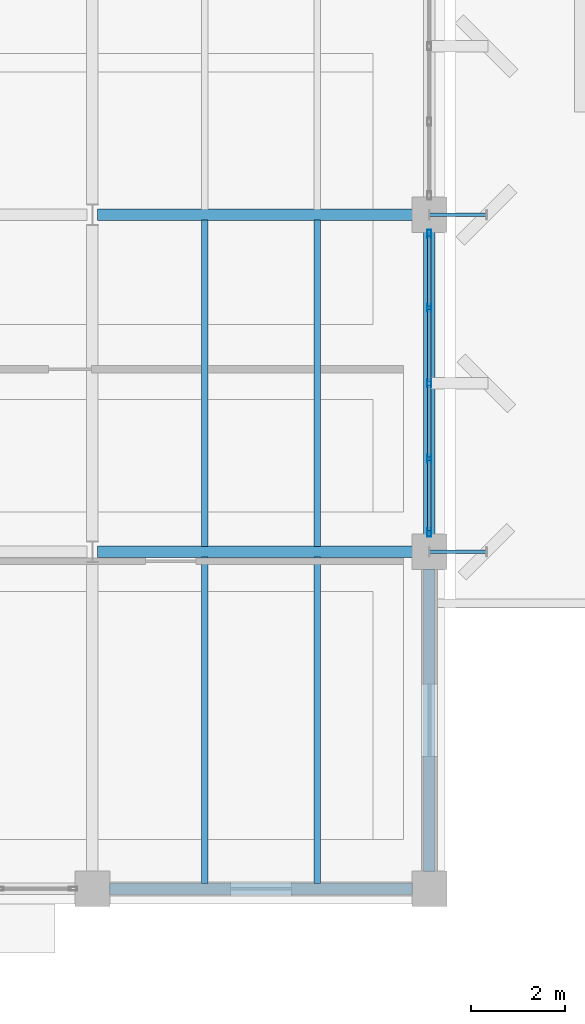
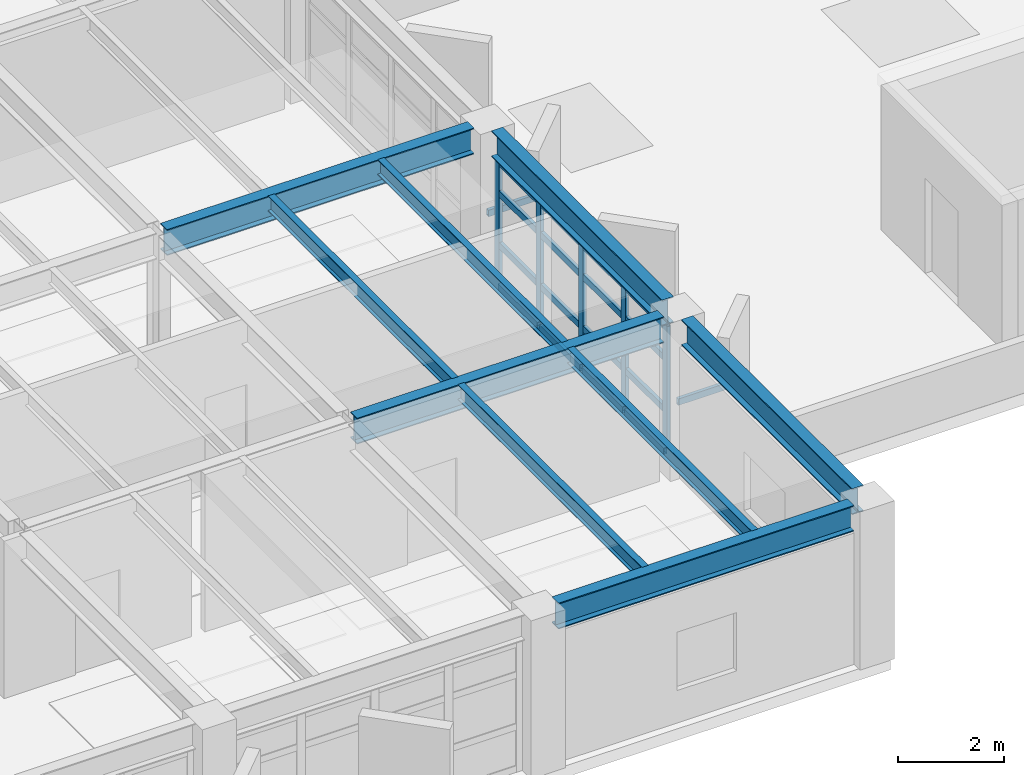
# One storey, part 12 of 32: 23 members, 9 beams, 1 element without a shape of its own.
"""IFC4 building model written with IfcOpenShell, lengths in metres."""

from ifc_helpers import new_model, si_unit, direction, frame, origin, origin_2d, place, context, subcontext, project, spatial, hollow_rectangle, i_section, extrude, material, layer, layer_set, material_profile, profile_set, type_object, element, aggregate, save


model = new_model("IFC4")

# Units and contexts
model_context = context("Model", 3, precision=1e-05, world=origin(), true_north=direction((0.0, 1.0)))
body_context = subcontext(model_context, "Body", "Model", "MODEL_VIEW")
ifc_project = project(units=[si_unit("LENGTHUNIT", "METRE"), si_unit("AREAUNIT", "SQUARE_METRE"), si_unit("VOLUMEUNIT", "CUBIC_METRE"), si_unit("PLANEANGLEUNIT", "RADIAN"), si_unit("MASSUNIT", "GRAM", prefix="KILO")], contexts=[model_context])

# Site, building, storey
site_placement = place(None, origin())
site = spatial("IfcSite", under=ifc_project, at=site_placement, CompositionType="ELEMENT")
building_placement = place(site_placement, origin())
building = spatial("IfcBuilding", under=site, at=building_placement, Name="Kandorven Conservatory and Botanical Research Centre", CompositionType="ELEMENT")
storey_placement = place(building_placement, frame((0.0, 0.0, 17.10009765625)))
storey = spatial("IfcBuildingStorey", under=building, at=storey_placement, Name="L04", CompositionType="ELEMENT", Elevation=17.10009765625)

# Beams
ifc_material_1 = material(Name="Steel S355 (IS 2062 E350)", Category="steel")
ifc_material_profile_1 = material_profile(ifc_material_1, i_section(OverallWidth=0.25, OverallDepth=0.60009765625, WebThickness=0.01171875, FlangeThickness=0.023681640625, at=origin_2d()))
ifc_profile_set_1 = profile_set([ifc_material_profile_1], Name="Steel S355 (IS 2062 E350)")
beam_type_1 = type_object("IfcBeamType", Name="Beam_FG-01", PredefinedType="USERDEFINED", material=ifc_profile_set_1)
beam_placement = place(storey_placement, frame((35.1650390625, 6.0, 3.35986328125), z_axis=(1.0, 0.0, 0.0), x_axis=(0.0, 1.0, 0.0)))
element("IfcBeam", 1, at=beam_placement, inside=storey, type_object=beam_type_1, Name="Primary girder FG-01 TWR L04", ObjectType="GIRDER", PredefinedType="USERDEFINED", context=body_context, shape_type="SweptSolid", body=[
    extrude(i_section(OverallWidth=0.25, OverallDepth=0.60009765625, WebThickness=0.01171875, FlangeThickness=0.023681640625, at=origin_2d()), origin(), (0.0, 0.0, 1.0), 6.469970703125),
])
for number, where, z_axis, x_axis, name in (
    (2, (34.9150390625, 13.199951171875, 3.35986328125), (1.0, 0.0, 0.0), (0.0, 1.0, 0.0), "Primary girder FG-01 TWR L04"),
    (3, (34.9150390625, 20.39990234375, 3.35986328125), (1.0, 0.0, 0.0), (0.0, 1.0, 0.0), "Primary girder FG-01 TWR L04"),
):
    element("IfcBeam", number, at=place(storey_placement, frame(where, z_axis=z_axis, x_axis=x_axis)), inside=storey, type_object=beam_type_1, Name=name, ObjectType="GIRDER", PredefinedType="USERDEFINED", context=body_context, shape_type="SweptSolid", body=[
        extrude(i_section(OverallWidth=0.25, OverallDepth=0.60009765625, WebThickness=0.01171875, FlangeThickness=0.023681640625, at=origin_2d()), origin(), (0.0, 0.0, 1.0), 6.719970703125),
    ])
for number, where, z_axis, x_axis, name in (
    (4, (42.0, 6.364990234375, 3.35986328125), (0.0, 1.0, 0.0), (-1.0, 0.0, 0.0), "Primary girder FG-01 TWR L04"),
    (5, (42.0, 13.56494140625, 3.35986328125), (0.0, 1.0, 0.0), (-1.0, 0.0, 0.0), "Primary girder FG-01 TWR L04"),
):
    element("IfcBeam", number, at=place(storey_placement, frame(where, z_axis=z_axis, x_axis=x_axis)), inside=storey, type_object=beam_type_1, Name=name, ObjectType="GIRDER", PredefinedType="USERDEFINED", context=body_context, shape_type="SweptSolid", body=[
        extrude(i_section(OverallWidth=0.25, OverallDepth=0.60009765625, WebThickness=0.01171875, FlangeThickness=0.023681640625, at=origin_2d()), origin(), (0.0, 0.0, 1.0), 6.469970703125),
    ])
ifc_material_2 = material(Name="Steel S355 (IS 2062 E350)", Category="steel")
ifc_material_profile_2 = material_profile(ifc_material_2, i_section(OverallWidth=0.139892578125, OverallDepth=0.35009765625, WebThickness=0.008056640625, FlangeThickness=0.01416015625, at=origin_2d()))
ifc_profile_set_2 = profile_set([ifc_material_profile_2], Name="Steel S355 (IS 2062 E350)")
beam_type_2 = type_object("IfcBeamType", Name="Beam_SB-06", PredefinedType="BEAM", material=ifc_profile_set_2)
for number, where, z_axis, x_axis, name in (
    (6, (37.199951171875, 6.110107421875, 3.48486328125), (0.0, 1.0, 0.0), (-1.0, 0.0, 0.0), "Composite secondary beam SB-06 TWR L04"),
    (7, (39.60009765625, 6.110107421875, 3.48486328125), (0.0, 1.0, 0.0), (-1.0, 0.0, 0.0), "Composite secondary beam SB-06 TWR L04"),
    (8, (37.199951171875, 13.31005859375, 3.48486328125), (0.0, 1.0, 0.0), (-1.0, 0.0, 0.0), "Composite secondary beam SB-06 TWR L04"),
    (9, (39.60009765625, 13.31005859375, 3.48486328125), (0.0, 1.0, 0.0), (-1.0, 0.0, 0.0), "Composite secondary beam SB-06 TWR L04"),
):
    element("IfcBeam", number, at=place(storey_placement, frame(where, z_axis=z_axis, x_axis=x_axis)), inside=storey, type_object=beam_type_2, Name=name, PredefinedType="BEAM", context=body_context, shape_type="SweptSolid", body=[
        extrude(i_section(OverallWidth=0.139892578125, OverallDepth=0.35009765625, WebThickness=0.008056640625, FlangeThickness=0.01416015625, at=origin_2d()), origin(), (0.0, 0.0, 1.0), 6.97998046875),
    ])

# Curtain wall, members
ifc_material_3 = material(Name="Bronze anodised thermally broken aluminium", Category="aluminium")
ifc_layer = layer(ifc_material_3, 0.179931640625)
ifc_layer_set = layer_set([ifc_layer], Name="Bronze anodised thermally broken aluminium")
curtain_wall_type = type_object("IfcCurtainWallType", Name="CW_Unitised", PredefinedType="USERDEFINED", material=ifc_layer_set)
curtain_wall_placement = place(storey_placement, origin())
curtain_wall = element("IfcCurtainWall", 10, at=curtain_wall_placement, inside=storey, type_object=curtain_wall_type, Name="Tower laboratory curtain wall CW-TWR-E-L04-2", ObjectType="UNITISED GLAZING", PredefinedType="USERDEFINED")
ifc_material_4 = material(Name="Bronze anodised thermally broken aluminium", Category="aluminium")
ifc_material_profile_3 = material_profile(ifc_material_4, hollow_rectangle(XDim=0.080078125, YDim=0.179931640625, WallThickness=0.006103515625, at=origin_2d()))
ifc_profile_set_3 = profile_set([ifc_material_profile_3], Name="Bronze anodised thermally broken aluminium")
member_type_1 = type_object("IfcMemberType", Name="CW_Mullion", PredefinedType="MULLION", material=ifc_profile_set_3)
member_1_placement = place(storey_placement, frame((42.0, 13.614990234375, 0.0), z_axis=(0.0, 0.0, 1.0), x_axis=(-1.0, 0.0, 0.0)))
member_1 = element("IfcMember", 11, at=member_1_placement, type_object=member_type_1, Name="CW-01 mullion 1", PredefinedType="MULLION", context=body_context, shape_type="SweptSolid", body=[
    extrude(hollow_rectangle(XDim=0.080078125, YDim=0.179931640625, WallThickness=0.006103515625, at=origin_2d()), origin(), (0.0, 0.0, 1.0), 3.039794921875),
])
member_2_placement = place(storey_placement, frame((42.0, 15.1875, 0.0), z_axis=(0.0, 0.0, 1.0), x_axis=(-1.0, 0.0, 0.0)))
member_2 = element("IfcMember", 12, at=member_2_placement, type_object=member_type_1, Name="CW-01 mullion 2", PredefinedType="MULLION", context=body_context, shape_type="SweptSolid", body=[
    extrude(hollow_rectangle(XDim=0.080078125, YDim=0.179931640625, WallThickness=0.006103515625, at=origin_2d()), origin(), (0.0, 0.0, 1.0), 3.039794921875),
])
member_3_placement = place(storey_placement, frame((42.0, 16.800048828125, 0.0), z_axis=(0.0, 0.0, 1.0), x_axis=(-1.0, 0.0, 0.0)))
member_3 = element("IfcMember", 13, at=member_3_placement, type_object=member_type_1, Name="CW-01 mullion 3", PredefinedType="MULLION", context=body_context, shape_type="SweptSolid", body=[
    extrude(hollow_rectangle(XDim=0.080078125, YDim=0.179931640625, WallThickness=0.006103515625, at=origin_2d()), origin(), (0.0, 0.0, 1.0), 3.039794921875),
])
member_4_placement = place(storey_placement, frame((42.0, 18.41259765625, 0.0), z_axis=(0.0, 0.0, 1.0), x_axis=(-1.0, 0.0, 0.0)))
member_4 = element("IfcMember", 14, at=member_4_placement, type_object=member_type_1, Name="CW-01 mullion 4", PredefinedType="MULLION", context=body_context, shape_type="SweptSolid", body=[
    extrude(hollow_rectangle(XDim=0.080078125, YDim=0.179931640625, WallThickness=0.006103515625, at=origin_2d()), origin(), (0.0, 0.0, 1.0), 3.039794921875),
])
member_5_placement = place(storey_placement, frame((42.0, 19.985107421875, 0.0), z_axis=(0.0, 0.0, 1.0), x_axis=(-1.0, 0.0, 0.0)))
member_5 = element("IfcMember", 15, at=member_5_placement, type_object=member_type_1, Name="CW-01 mullion 5", PredefinedType="MULLION", context=body_context, shape_type="SweptSolid", body=[
    extrude(hollow_rectangle(XDim=0.080078125, YDim=0.179931640625, WallThickness=0.006103515625, at=origin_2d()), origin(), (0.0, 0.0, 1.0), 3.039794921875),
])
ifc_material_5 = material(Name="Bronze anodised thermally broken aluminium", Category="aluminium")
ifc_material_profile_4 = material_profile(ifc_material_5, hollow_rectangle(XDim=0.074951171875, YDim=0.14990234375, WallThickness=0.006103515625, at=origin_2d()))
ifc_profile_set_4 = profile_set([ifc_material_profile_4], Name="Bronze anodised thermally broken aluminium")
member_type_2 = type_object("IfcMemberType", Name="CW_Transom", PredefinedType="USERDEFINED", material=ifc_profile_set_4)
member_6_placement = place(storey_placement, frame((42.0, 13.655029296875, 0.074951171875), z_axis=(0.0, 1.0, 0.0), x_axis=(-1.0, 0.0, 0.0)))
member_6 = element("IfcMember", 16, at=member_6_placement, type_object=member_type_2, Name="CW-01 transom 1.1", ObjectType="TRANSOM", PredefinedType="USERDEFINED", context=body_context, shape_type="SweptSolid", body=[
    extrude(hollow_rectangle(XDim=0.074951171875, YDim=0.14990234375, WallThickness=0.006103515625, at=origin_2d()), origin(), (0.0, 0.0, 1.0), 1.492431640625),
])
member_7_placement = place(storey_placement, frame((42.0, 13.655029296875, 1.0498046875), z_axis=(0.0, 1.0, 0.0), x_axis=(-1.0, 0.0, 0.0)))
member_7 = element("IfcMember", 17, at=member_7_placement, type_object=member_type_2, Name="CW-01 transom 1.2", ObjectType="TRANSOM", PredefinedType="USERDEFINED", context=body_context, shape_type="SweptSolid", body=[
    extrude(hollow_rectangle(XDim=0.074951171875, YDim=0.14990234375, WallThickness=0.006103515625, at=origin_2d()), origin(), (0.0, 0.0, 1.0), 1.492431640625),
])
member_8_placement = place(storey_placement, frame((42.0, 13.655029296875, 2.25), z_axis=(0.0, 1.0, 0.0), x_axis=(-1.0, 0.0, 0.0)))
member_8 = element("IfcMember", 18, at=member_8_placement, type_object=member_type_2, Name="CW-01 transom 1.3", ObjectType="TRANSOM", PredefinedType="USERDEFINED", context=body_context, shape_type="SweptSolid", body=[
    extrude(hollow_rectangle(XDim=0.074951171875, YDim=0.14990234375, WallThickness=0.006103515625, at=origin_2d()), origin(), (0.0, 0.0, 1.0), 1.492431640625),
])
member_9_placement = place(storey_placement, frame((42.0, 13.655029296875, 2.96484375), z_axis=(0.0, 1.0, 0.0), x_axis=(-1.0, 0.0, 0.0)))
member_9 = element("IfcMember", 19, at=member_9_placement, type_object=member_type_2, Name="CW-01 transom 1.4", ObjectType="TRANSOM", PredefinedType="USERDEFINED", context=body_context, shape_type="SweptSolid", body=[
    extrude(hollow_rectangle(XDim=0.074951171875, YDim=0.14990234375, WallThickness=0.006103515625, at=origin_2d()), origin(), (0.0, 0.0, 1.0), 1.492431640625),
])
member_10_placement = place(storey_placement, frame((42.0, 15.2275390625, 0.074951171875), z_axis=(0.0, 1.0, 0.0), x_axis=(-1.0, 0.0, 0.0)))
member_10 = element("IfcMember", 20, at=member_10_placement, type_object=member_type_2, Name="CW-01 transom 2.1", ObjectType="TRANSOM", PredefinedType="USERDEFINED", context=body_context, shape_type="SweptSolid", body=[
    extrude(hollow_rectangle(XDim=0.074951171875, YDim=0.14990234375, WallThickness=0.006103515625, at=origin_2d()), origin(), (0.0, 0.0, 1.0), 1.532470703125),
])
member_11_placement = place(storey_placement, frame((42.0, 15.2275390625, 1.0498046875), z_axis=(0.0, 1.0, 0.0), x_axis=(-1.0, 0.0, 0.0)))
member_11 = element("IfcMember", 21, at=member_11_placement, type_object=member_type_2, Name="CW-01 transom 2.2", ObjectType="TRANSOM", PredefinedType="USERDEFINED", context=body_context, shape_type="SweptSolid", body=[
    extrude(hollow_rectangle(XDim=0.074951171875, YDim=0.14990234375, WallThickness=0.006103515625, at=origin_2d()), origin(), (0.0, 0.0, 1.0), 1.532470703125),
])
member_12_placement = place(storey_placement, frame((42.0, 15.2275390625, 2.25), z_axis=(0.0, 1.0, 0.0), x_axis=(-1.0, 0.0, 0.0)))
member_12 = element("IfcMember", 22, at=member_12_placement, type_object=member_type_2, Name="CW-01 transom 2.3", ObjectType="TRANSOM", PredefinedType="USERDEFINED", context=body_context, shape_type="SweptSolid", body=[
    extrude(hollow_rectangle(XDim=0.074951171875, YDim=0.14990234375, WallThickness=0.006103515625, at=origin_2d()), origin(), (0.0, 0.0, 1.0), 1.532470703125),
])
member_13_placement = place(storey_placement, frame((42.0, 15.2275390625, 2.96484375), z_axis=(0.0, 1.0, 0.0), x_axis=(-1.0, 0.0, 0.0)))
member_13 = element("IfcMember", 23, at=member_13_placement, type_object=member_type_2, Name="CW-01 transom 2.4", ObjectType="TRANSOM", PredefinedType="USERDEFINED", context=body_context, shape_type="SweptSolid", body=[
    extrude(hollow_rectangle(XDim=0.074951171875, YDim=0.14990234375, WallThickness=0.006103515625, at=origin_2d()), origin(), (0.0, 0.0, 1.0), 1.532470703125),
])
member_14_placement = place(storey_placement, frame((42.0, 16.840087890625, 0.074951171875), z_axis=(0.0, 1.0, 0.0), x_axis=(-1.0, 0.0, 0.0)))
member_14 = element("IfcMember", 24, at=member_14_placement, type_object=member_type_2, Name="CW-01 transom 3.1", ObjectType="TRANSOM", PredefinedType="USERDEFINED", context=body_context, shape_type="SweptSolid", body=[
    extrude(hollow_rectangle(XDim=0.074951171875, YDim=0.14990234375, WallThickness=0.006103515625, at=origin_2d()), origin(), (0.0, 0.0, 1.0), 1.532470703125),
])
member_15_placement = place(storey_placement, frame((42.0, 16.840087890625, 1.0498046875), z_axis=(0.0, 1.0, 0.0), x_axis=(-1.0, 0.0, 0.0)))
member_15 = element("IfcMember", 25, at=member_15_placement, type_object=member_type_2, Name="CW-01 transom 3.2", ObjectType="TRANSOM", PredefinedType="USERDEFINED", context=body_context, shape_type="SweptSolid", body=[
    extrude(hollow_rectangle(XDim=0.074951171875, YDim=0.14990234375, WallThickness=0.006103515625, at=origin_2d()), origin(), (0.0, 0.0, 1.0), 1.532470703125),
])
member_16_placement = place(storey_placement, frame((42.0, 16.840087890625, 2.25), z_axis=(0.0, 1.0, 0.0), x_axis=(-1.0, 0.0, 0.0)))
member_16 = element("IfcMember", 26, at=member_16_placement, type_object=member_type_2, Name="CW-01 transom 3.3", ObjectType="TRANSOM", PredefinedType="USERDEFINED", context=body_context, shape_type="SweptSolid", body=[
    extrude(hollow_rectangle(XDim=0.074951171875, YDim=0.14990234375, WallThickness=0.006103515625, at=origin_2d()), origin(), (0.0, 0.0, 1.0), 1.532470703125),
])
member_17_placement = place(storey_placement, frame((42.0, 16.840087890625, 2.96484375), z_axis=(0.0, 1.0, 0.0), x_axis=(-1.0, 0.0, 0.0)))
member_17 = element("IfcMember", 27, at=member_17_placement, type_object=member_type_2, Name="CW-01 transom 3.4", ObjectType="TRANSOM", PredefinedType="USERDEFINED", context=body_context, shape_type="SweptSolid", body=[
    extrude(hollow_rectangle(XDim=0.074951171875, YDim=0.14990234375, WallThickness=0.006103515625, at=origin_2d()), origin(), (0.0, 0.0, 1.0), 1.532470703125),
])
member_18_placement = place(storey_placement, frame((42.0, 18.452392578125, 0.074951171875), z_axis=(0.0, 1.0, 0.0), x_axis=(-1.0, 0.0, 0.0)))
member_18 = element("IfcMember", 28, at=member_18_placement, type_object=member_type_2, Name="CW-01 transom 4.1", ObjectType="TRANSOM", PredefinedType="USERDEFINED", context=body_context, shape_type="SweptSolid", body=[
    extrude(hollow_rectangle(XDim=0.074951171875, YDim=0.14990234375, WallThickness=0.006103515625, at=origin_2d()), origin(), (0.0, 0.0, 1.0), 1.49267578125),
])
member_19_placement = place(storey_placement, frame((42.0, 18.452392578125, 1.0498046875), z_axis=(0.0, 1.0, 0.0), x_axis=(-1.0, 0.0, 0.0)))
member_19 = element("IfcMember", 29, at=member_19_placement, type_object=member_type_2, Name="CW-01 transom 4.2", ObjectType="TRANSOM", PredefinedType="USERDEFINED", context=body_context, shape_type="SweptSolid", body=[
    extrude(hollow_rectangle(XDim=0.074951171875, YDim=0.14990234375, WallThickness=0.006103515625, at=origin_2d()), origin(), (0.0, 0.0, 1.0), 1.49267578125),
])
member_20_placement = place(storey_placement, frame((42.0, 18.452392578125, 2.25), z_axis=(0.0, 1.0, 0.0), x_axis=(-1.0, 0.0, 0.0)))
member_20 = element("IfcMember", 30, at=member_20_placement, type_object=member_type_2, Name="CW-01 transom 4.3", ObjectType="TRANSOM", PredefinedType="USERDEFINED", context=body_context, shape_type="SweptSolid", body=[
    extrude(hollow_rectangle(XDim=0.074951171875, YDim=0.14990234375, WallThickness=0.006103515625, at=origin_2d()), origin(), (0.0, 0.0, 1.0), 1.49267578125),
])
member_21_placement = place(storey_placement, frame((42.0, 18.452392578125, 2.96484375), z_axis=(0.0, 1.0, 0.0), x_axis=(-1.0, 0.0, 0.0)))
member_21 = element("IfcMember", 31, at=member_21_placement, type_object=member_type_2, Name="CW-01 transom 4.4", ObjectType="TRANSOM", PredefinedType="USERDEFINED", context=body_context, shape_type="SweptSolid", body=[
    extrude(hollow_rectangle(XDim=0.074951171875, YDim=0.14990234375, WallThickness=0.006103515625, at=origin_2d()), origin(), (0.0, 0.0, 1.0), 1.49267578125),
])
aggregate(curtain_wall, [member_1, member_2, member_3, member_4, member_5, member_6, member_7, member_8, member_9, member_10, member_11, member_12, member_13, member_14, member_15, member_16, member_17, member_18, member_19, member_20, member_21])

# Members
ifc_material_6 = material(Name="Steel S355 (IS 2062 E350)", Category="steel")
ifc_material_profile_5 = material_profile(ifc_material_6, hollow_rectangle(XDim=0.074951171875, YDim=0.14990234375, WallThickness=0.006103515625, at=origin_2d()))
ifc_profile_set_5 = profile_set([ifc_material_profile_5], Name="Steel S355 (IS 2062 E350)")
member_type_3 = type_object("IfcMemberType", Name="Mem_SF-01", PredefinedType="STRUT", material=ifc_profile_set_5)
for number, where, z_axis, x_axis, name in (
    (32, (42.0, 13.199951171875, 1.5), (1.0, 0.0, 0.0), (0.0, 1.0, 0.0), "Solar fin steel outrigger strut SF-01 #41"),
    (33, (42.0, 20.39990234375, 1.5), (1.0, 0.0, 0.0), (0.0, 1.0, 0.0), "Solar fin steel outrigger strut SF-01 #43"),
):
    element("IfcMember", number, at=place(storey_placement, frame(where, z_axis=z_axis, x_axis=x_axis)), inside=storey, type_object=member_type_3, Name=name, PredefinedType="STRUT", context=body_context, shape_type="SweptSolid", body=[
        extrude(hollow_rectangle(XDim=0.074951171875, YDim=0.14990234375, WallThickness=0.006103515625, at=origin_2d()), origin(), (0.0, 0.0, 1.0), 1.219970703125),
    ])

save(model, "model.ifc")
